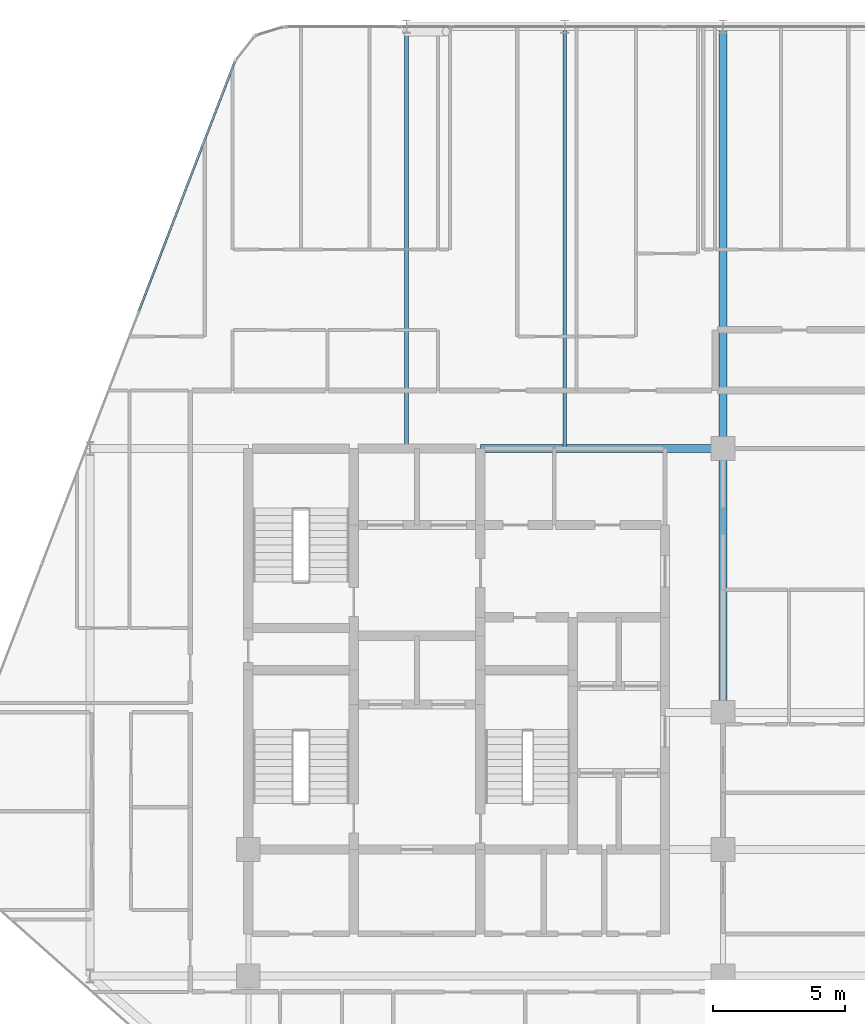
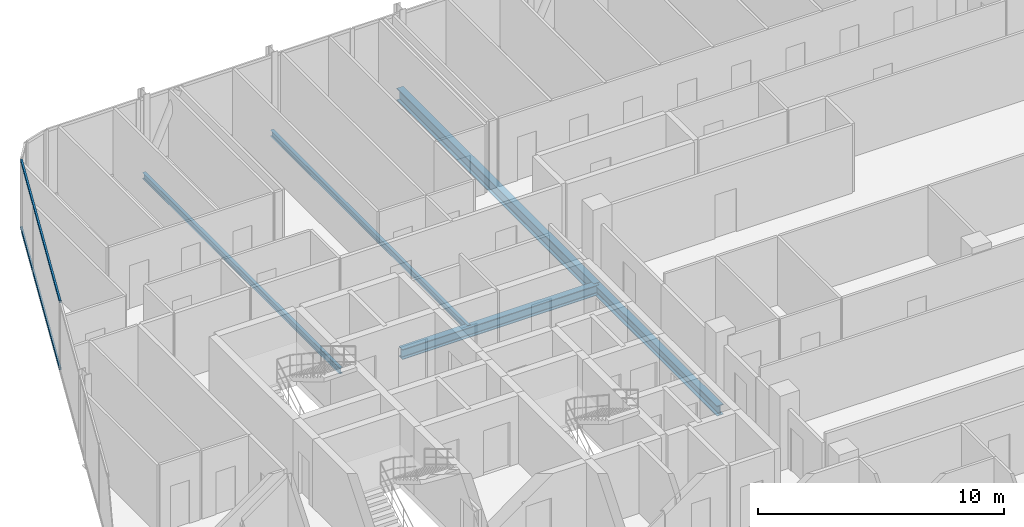
# One storey, part 16 of 31: 5 beams, 2 members, 1 element without a shape of its own.
"""IFC4 building model written with IfcOpenShell, lengths in metres."""

from ifc_helpers import new_model, si_unit, direction, frame, origin, origin_2d, place, context, subcontext, project, spatial, hollow_rectangle, i_section, extrude, material, layer, layer_set, material_profile, profile_set, type_object, element, aggregate, save


model = new_model("IFC4")

# Units and contexts
model_context = context("Model", 3, precision=1e-05, world=origin(), true_north=direction((0.0, 1.0)))
body_context = subcontext(model_context, "Body", "Model", "MODEL_VIEW")
ifc_project = project(units=[si_unit("LENGTHUNIT", "METRE"), si_unit("AREAUNIT", "SQUARE_METRE"), si_unit("VOLUMEUNIT", "CUBIC_METRE"), si_unit("PLANEANGLEUNIT", "RADIAN"), si_unit("MASSUNIT", "GRAM", prefix="KILO")], contexts=[model_context])

# Site, building, storey
site_placement = place(None, origin())
site = spatial("IfcSite", under=ifc_project, at=site_placement, CompositionType="ELEMENT")
building_placement = place(site_placement, origin())
building = spatial("IfcBuilding", under=site, at=building_placement, Name="Keshet Zoharim Tower", CompositionType="ELEMENT")
storey_placement = place(building_placement, frame((0.0, 0.0, 144.60009765625)))
storey = spatial("IfcBuildingStorey", under=building, at=storey_placement, Name="L35", CompositionType="ELEMENT", Elevation=144.60009765625)

# Beams
ifc_material_1 = material(Name="Steel S355", Category="steel")
ifc_material_profile_1 = material_profile(ifc_material_1, i_section(OverallWidth=0.14990234375, OverallDepth=0.300048828125, WebThickness=0.007080078125, FlangeThickness=0.0107421875, FilletRadius=0.014892578125, at=origin_2d()), Name="IPE300")
ifc_profile_set_1 = profile_set([ifc_material_profile_1], Name="Steel S355")
beam_type_1 = type_object("IfcBeamType", Name="BM-JST-IP300", PredefinedType="JOIST", material=ifc_profile_set_1)
for number, where, z_axis, x_axis, name in (
    (1, (21.0, 37.89990234375, -0.465087890625), (0.0, 1.0, 0.0), (-1.0, 0.0, 0.0), "L35 Secondary Floor Joist J-001"),
    (2, (27.0, 37.89990234375, -0.465087890625), (0.0, 1.0, 0.0), (-1.0, 0.0, 0.0), "L35 Secondary Floor Joist J-002"),
):
    element("IfcBeam", number, at=place(storey_placement, frame(where, z_axis=z_axis, x_axis=x_axis)), inside=storey, type_object=beam_type_1, Name=name, PredefinedType="JOIST", context=body_context, shape_type="SweptSolid", body=[
        extrude(i_section(OverallWidth=0.14990234375, OverallDepth=0.300048828125, WebThickness=0.007080078125, FlangeThickness=0.0107421875, FilletRadius=0.014892578125, at=origin_2d()), origin(), (0.0, 0.0, 1.0), 16.0),
    ])
ifc_material_profile_2 = material_profile(ifc_material_1, i_section(OverallWidth=0.300048828125, OverallDepth=0.60009765625, WebThickness=0.015380859375, FlangeThickness=0.030029296875, FilletRadius=0.027099609375, at=origin_2d()), Name="HEB600")
ifc_profile_set_2 = profile_set([ifc_material_profile_2], Name="Steel S355")
beam_type_2 = type_object("IfcBeamType", Name="BM-LNG-HB600", PredefinedType="BEAM", material=ifc_profile_set_2)
beam_1_placement = place(storey_placement, frame((33.0, 37.89990234375, -0.614990234375), z_axis=(0.0, 1.0, 0.0), x_axis=(-1.0, 0.0, 0.0)))
element("IfcBeam", 3, at=beam_1_placement, inside=storey, type_object=beam_type_2, Name="L35 Primary Girder Y-011", PredefinedType="BEAM", context=body_context, shape_type="SweptSolid", body=[
    extrude(i_section(OverallWidth=0.300048828125, OverallDepth=0.60009765625, WebThickness=0.015380859375, FlangeThickness=0.030029296875, FilletRadius=0.027099609375, at=origin_2d()), origin(), (0.0, 0.0, 1.0), 16.0),
])
ifc_material_profile_3 = material_profile(ifc_material_1, i_section(OverallWidth=0.300048828125, OverallDepth=0.5, WebThickness=0.014404296875, FlangeThickness=0.028076171875, FilletRadius=0.027099609375, at=origin_2d()), Name="HEB500")
ifc_profile_set_3 = profile_set([ifc_material_profile_3], Name="Steel S355")
beam_type_3 = type_object("IfcBeamType", Name="BM-MED-HB500", PredefinedType="BEAM", material=ifc_profile_set_3)
beam_2_placement = place(storey_placement, frame((23.800048828125, 37.89990234375, -0.565185546875), z_axis=(1.0, 0.0, 0.0), x_axis=(0.0, 1.0, 0.0)))
element("IfcBeam", 4, at=beam_2_placement, inside=storey, type_object=beam_type_3, Name="L35 Primary Girder X-019", PredefinedType="BEAM", context=body_context, shape_type="SweptSolid", body=[
    extrude(i_section(OverallWidth=0.300048828125, OverallDepth=0.5, WebThickness=0.014404296875, FlangeThickness=0.028076171875, FilletRadius=0.027099609375, at=origin_2d()), origin(), (0.0, 0.0, 1.0), 9.199951171875),
])
beam_3_placement = place(storey_placement, frame((33.0, 27.89990234375, -0.565185546875), z_axis=(0.0, 1.0, 0.0), x_axis=(-1.0, 0.0, 0.0)))
element("IfcBeam", 5, at=beam_3_placement, inside=storey, type_object=beam_type_3, Name="L35 Primary Girder Y-010", PredefinedType="BEAM", context=body_context, shape_type="SweptSolid", body=[
    extrude(i_section(OverallWidth=0.300048828125, OverallDepth=0.5, WebThickness=0.014404296875, FlangeThickness=0.028076171875, FilletRadius=0.027099609375, at=origin_2d()), origin(), (0.0, 0.0, 1.0), 10.0),
])

# Curtain wall, members
ifc_material_2 = material(Name="Aluminium 6063-T6", Category="aluminium")
ifc_layer = layer(ifc_material_2, 0.159912109375)
ifc_layer_set = layer_set([ifc_layer], Name="Aluminium 6063-T6")
curtain_wall_type = type_object("IfcCurtainWallType", Name="CW-SYS-03", PredefinedType="NOTDEFINED", material=ifc_layer_set)
curtain_wall_placement = place(storey_placement, origin())
curtain_wall = element("IfcCurtainWall", 6, at=curtain_wall_placement, inside=storey, type_object=curtain_wall_type, Name="L35 Unitised Curtain Wall 10", PredefinedType="NOTDEFINED")
ifc_material_profile_4 = material_profile(ifc_material_2, hollow_rectangle(XDim=0.080078125, YDim=0.139892578125, WallThickness=0.00390625, at=origin_2d()), Name="TRN-80x140")
ifc_profile_set_4 = profile_set([ifc_material_profile_4], Name="Aluminium 6063-T6")
member_type = type_object("IfcMemberType", Name="CWT-T14", PredefinedType="USERDEFINED", material=ifc_profile_set_4)
member_1_placement = place(storey_placement, frame((10.849609375, 43.10888671875, 0.034912109375), z_axis=(0.358985546764, 0.933343118694, 0.0), x_axis=(-0.933343118694, 0.358985546764, 0.0)))
member_1 = element("IfcMember", 7, at=member_1_placement, type_object=member_type, Name="CW-03 transom 3.1", ObjectType="TRANSOM", PredefinedType="USERDEFINED", context=body_context, shape_type="SweptSolid", body=[
    extrude(hollow_rectangle(XDim=0.080078125, YDim=0.139892578125, WallThickness=0.00390625, at=origin_2d()), origin(), (0.0, 0.0, 1.0), 10.118408203125),
])
member_2_placement = place(storey_placement, frame((10.849609375, 43.10888671875, 3.349853515625), z_axis=(0.358985546764, 0.933343118694, 0.0), x_axis=(-0.933343118694, 0.358985546764, 0.0)))
member_2 = element("IfcMember", 8, at=member_2_placement, type_object=member_type, Name="CW-03 transom 3.2", ObjectType="TRANSOM", PredefinedType="USERDEFINED", context=body_context, shape_type="SweptSolid", body=[
    extrude(hollow_rectangle(XDim=0.080078125, YDim=0.139892578125, WallThickness=0.00390625, at=origin_2d()), origin(), (0.0, 0.0, 1.0), 10.118408203125),
])
aggregate(curtain_wall, [member_1, member_2])

save(model, "model.ifc")
